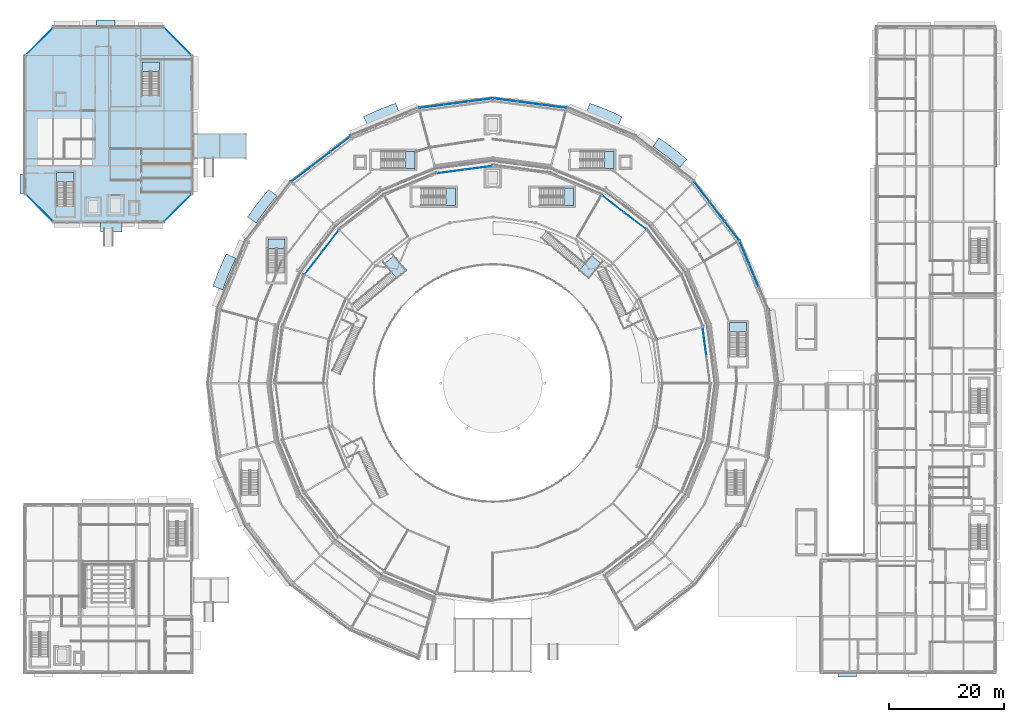
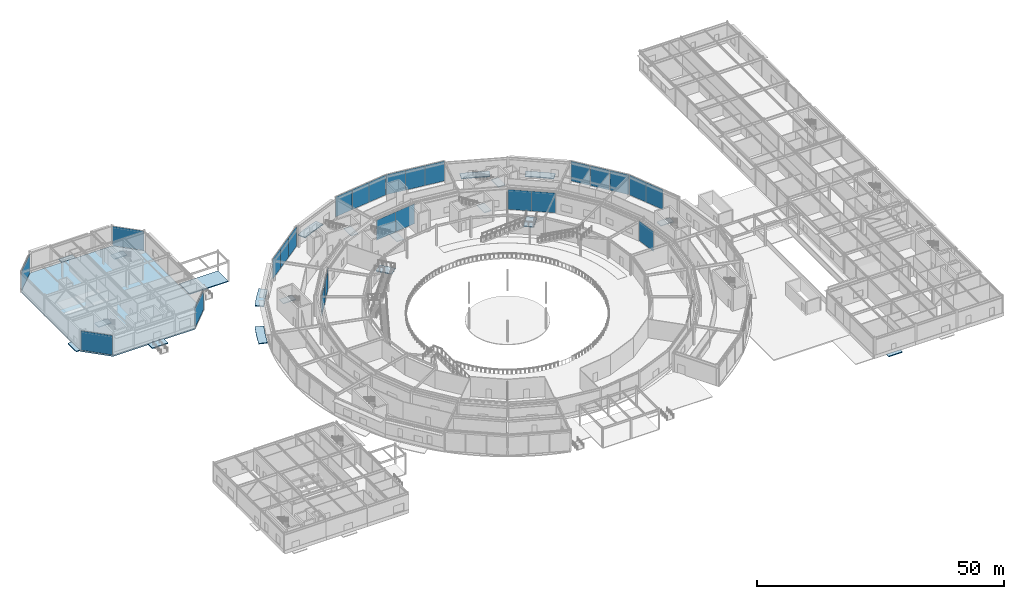
# One storey, part 113 of 168: 25 plates, 21 slabs, 23 elements without a shape of their own.
"""IFC4 building model written with IfcOpenShell, lengths in metres."""

from ifc_helpers import new_model, si_unit, direction, frame, origin, origin_2d, place, context, subcontext, project, spatial, polyline, rectangle, outline, extrude, material, layer, layer_set, type_object, element, aggregate, save


model = new_model("IFC4")

# Units and contexts
model_context = context("Model", 3, precision=1e-05, world=origin(), true_north=direction((0.0, 1.0)))
body_context = subcontext(model_context, "Body", "Model", "MODEL_VIEW")
ifc_project = project(units=[si_unit("LENGTHUNIT", "METRE"), si_unit("AREAUNIT", "SQUARE_METRE"), si_unit("VOLUMEUNIT", "CUBIC_METRE"), si_unit("PLANEANGLEUNIT", "RADIAN"), si_unit("MASSUNIT", "GRAM", prefix="KILO")], contexts=[model_context])

# Site, building, storey
site_placement = place(None, origin())
site = spatial("IfcSite", under=ifc_project, at=site_placement, CompositionType="ELEMENT")
building_placement = place(site_placement, origin())
building = spatial("IfcBuilding", under=site, at=building_placement, Name="Almandine Court Research Institute", CompositionType="ELEMENT")
storey_placement = place(building_placement, origin())
storey = spatial("IfcBuildingStorey", under=building, at=storey_placement, Name="L00", CompositionType="ELEMENT", Elevation=0.0)

# Curtain wall, plate
ifc_material_1 = material(Name="Unitised Curtain Wall Framing and Solar Glazing", Category="glass")
curtain_wall_type_1 = type_object("IfcCurtainWallType", Name="CW-CWG-04", PredefinedType="USERDEFINED", material=ifc_material_1)
curtain_wall_1_placement = place(storey_placement, origin())
curtain_wall_1 = element("IfcCurtainWall", 1, at=curtain_wall_1_placement, inside=storey, type_object=curtain_wall_type_1, Name="L00 Cleanroom NW Chamfer Glazing", ObjectType="UNITISED GLAZING", PredefinedType="USERDEFINED")
ifc_material_2 = material(Name="Double-Glazed Low-E Argon Insulated Glass", Category="glass")
ifc_layer_1 = layer(ifc_material_2, 0.028076171875)
ifc_layer_set_1 = layer_set([ifc_layer_1], Name="Double-Glazed Low-E Argon Insulated Glass")
plate_type_1 = type_object("IfcPlateType", Name="CWPnl-GLZ-28", PredefinedType="CURTAIN_PANEL", material=ifc_layer_set_1)
plate_1_placement = place(storey_placement, frame((8.39990234375, 115.199951171875, 0.06005859375), z_axis=(0.0, 0.0, 1.0), x_axis=(0.707106781187, 0.707106781187, 0.0)))
plate_1 = element("IfcPlate", 2, at=plate_1_placement, type_object=plate_type_1, Name="CWG-04 panel 1.1", PredefinedType="CURTAIN_PANEL", context=body_context, shape_type="SweptSolid", body=[
    extrude(rectangle(XDim=6.656982421875, YDim=0.028076171875, at=origin_2d()), origin(), (0.0, 0.0, 1.0), 4.81005859375),
])
aggregate(curtain_wall_1, [plate_1])

curtain_wall_2_placement = place(storey_placement, origin())
curtain_wall_2 = element("IfcCurtainWall", 3, at=curtain_wall_2_placement, inside=storey, type_object=curtain_wall_type_1, Name="L00 Cleanroom NE Chamfer Glazing", ObjectType="UNITISED GLAZING", PredefinedType="USERDEFINED")
plate_2_placement = place(storey_placement, frame((32.39990234375, 115.199951171875, 0.06005859375), z_axis=(0.0, 0.0, 1.0), x_axis=(0.707106781187, -0.707106781187, 0.0)))
plate_2 = element("IfcPlate", 4, at=plate_2_placement, type_object=plate_type_1, Name="CWG-04 panel 1.1", PredefinedType="CURTAIN_PANEL", context=body_context, shape_type="SweptSolid", body=[
    extrude(rectangle(XDim=6.656982421875, YDim=0.028076171875, at=origin_2d()), origin(), (0.0, 0.0, 1.0), 4.81005859375),
])
aggregate(curtain_wall_2, [plate_2])

curtain_wall_3_placement = place(storey_placement, origin())
curtain_wall_3 = element("IfcCurtainWall", 5, at=curtain_wall_3_placement, inside=storey, type_object=curtain_wall_type_1, Name="L00 Cleanroom SE Chamfer Glazing", ObjectType="UNITISED GLAZING", PredefinedType="USERDEFINED")
plate_3_placement = place(storey_placement, frame((32.39990234375, 86.39990234375, 0.06005859375), z_axis=(0.0, 0.0, 1.0), x_axis=(-0.707106781187, -0.707106781187, 0.0)))
plate_3 = element("IfcPlate", 6, at=plate_3_placement, type_object=plate_type_1, Name="CWG-04 panel 1.1", PredefinedType="CURTAIN_PANEL", context=body_context, shape_type="SweptSolid", body=[
    extrude(rectangle(XDim=6.656982421875, YDim=0.028076171875, at=origin_2d()), origin(), (0.0, 0.0, 1.0), 4.81005859375),
])
aggregate(curtain_wall_3, [plate_3])

curtain_wall_4_placement = place(storey_placement, origin())
curtain_wall_4 = element("IfcCurtainWall", 7, at=curtain_wall_4_placement, inside=storey, type_object=curtain_wall_type_1, Name="L00 Cleanroom SW Chamfer Glazing", ObjectType="UNITISED GLAZING", PredefinedType="USERDEFINED")
plate_4_placement = place(storey_placement, frame((8.39990234375, 86.39990234375, 0.06005859375), z_axis=(0.0, 0.0, 1.0), x_axis=(-0.707106781187, 0.707106781187, 0.0)))
plate_4 = element("IfcPlate", 8, at=plate_4_placement, type_object=plate_type_1, Name="CWG-04 panel 1.1", PredefinedType="CURTAIN_PANEL", context=body_context, shape_type="SweptSolid", body=[
    extrude(rectangle(XDim=6.656982421875, YDim=0.028076171875, at=origin_2d()), origin(), (0.0, 0.0, 1.0), 4.81005859375),
])
aggregate(curtain_wall_4, [plate_4])

# Curtain wall, plates
curtain_wall_type_2 = type_object("IfcCurtainWallType", Name="CW-CWG-18", PredefinedType="USERDEFINED", material=ifc_material_1)
curtain_wall_5_placement = place(storey_placement, origin())
curtain_wall_5 = element("IfcCurtainWall", 9, at=curtain_wall_5_placement, inside=storey, type_object=curtain_wall_type_2, Name="L00 Stacked-Ring Drum Outer Unitised Glazing 05", ObjectType="UNITISED GLAZING", PredefinedType="USERDEFINED")
plate_5_placement = place(storey_placement, frame((89.146728515625, 105.077880859375, 0.06005859375), z_axis=(0.0, 0.0, 1.0), x_axis=(0.991442926098, -0.130540891259, 0.0)))
plate_5 = element("IfcPlate", 10, at=plate_5_placement, type_object=plate_type_1, Name="CWG-18 panel 1.1", PredefinedType="CURTAIN_PANEL", context=body_context, shape_type="SweptSolid", body=[
    extrude(rectangle(XDim=4.202392578125, YDim=0.028076171875, at=origin_2d()), origin(), (0.0, 0.0, 1.0), 4.949951171875),
])
plate_6_placement = place(storey_placement, frame((93.387451171875, 104.51953125, 0.06005859375), z_axis=(0.0, 0.0, 1.0), x_axis=(0.991442926098, -0.130540891259, 0.0)))
plate_6 = element("IfcPlate", 11, at=plate_6_placement, type_object=plate_type_1, Name="CWG-18 panel 2.1", PredefinedType="CURTAIN_PANEL", context=body_context, shape_type="SweptSolid", body=[
    extrude(rectangle(XDim=4.232421875, YDim=0.028076171875, at=origin_2d()), origin(), (0.0, 0.0, 1.0), 4.949951171875),
])
plate_7_placement = place(storey_placement, frame((97.628173828125, 103.961181640625, 0.06005859375), z_axis=(0.0, 0.0, 1.0), x_axis=(0.991442926098, -0.130540891259, 0.0)))
plate_7 = element("IfcPlate", 12, at=plate_7_placement, type_object=plate_type_1, Name="CWG-18 panel 3.1", PredefinedType="CURTAIN_PANEL", context=body_context, shape_type="SweptSolid", body=[
    extrude(rectangle(XDim=4.202392578125, YDim=0.028076171875, at=origin_2d()), origin(), (0.0, 0.0, 1.0), 4.949951171875),
])
aggregate(curtain_wall_5, [plate_5, plate_6, plate_7])

curtain_wall_6_placement = place(storey_placement, origin())
curtain_wall_6 = element("IfcCurtainWall", 13, at=curtain_wall_6_placement, inside=storey, type_object=curtain_wall_type_2, Name="L00 Stacked-Ring Drum Outer Unitised Glazing 06", ObjectType="UNITISED GLAZING", PredefinedType="USERDEFINED")
plate_8_placement = place(storey_placement, frame((76.371826171875, 103.961181640625, 0.06005859375), z_axis=(0.0, 0.0, 1.0), x_axis=(0.991442926098, 0.130540891259, 0.0)))
plate_8 = element("IfcPlate", 14, at=plate_8_placement, type_object=plate_type_1, Name="CWG-18 panel 1.1", PredefinedType="CURTAIN_PANEL", context=body_context, shape_type="SweptSolid", body=[
    extrude(rectangle(XDim=4.202392578125, YDim=0.028076171875, at=origin_2d()), origin(), (0.0, 0.0, 1.0), 4.949951171875),
])
plate_9_placement = place(storey_placement, frame((80.612548828125, 104.51953125, 0.06005859375), z_axis=(0.0, 0.0, 1.0), x_axis=(0.991442926098, 0.130540891259, 0.0)))
plate_9 = element("IfcPlate", 15, at=plate_9_placement, type_object=plate_type_1, Name="CWG-18 panel 2.1", PredefinedType="CURTAIN_PANEL", context=body_context, shape_type="SweptSolid", body=[
    extrude(rectangle(XDim=4.232421875, YDim=0.028076171875, at=origin_2d()), origin(), (0.0, 0.0, 1.0), 4.949951171875),
])
plate_10_placement = place(storey_placement, frame((84.853271484375, 105.077880859375, 0.06005859375), z_axis=(0.0, 0.0, 1.0), x_axis=(0.991442926098, 0.130540891259, 0.0)))
plate_10 = element("IfcPlate", 16, at=plate_10_placement, type_object=plate_type_1, Name="CWG-18 panel 3.1", PredefinedType="CURTAIN_PANEL", context=body_context, shape_type="SweptSolid", body=[
    extrude(rectangle(XDim=4.202392578125, YDim=0.028076171875, at=origin_2d()), origin(), (0.0, 0.0, 1.0), 4.949951171875),
])
aggregate(curtain_wall_6, [plate_8, plate_9, plate_10])

# Curtain wall, plate
curtain_wall_type_3 = type_object("IfcCurtainWallType", Name="CW-CWG-23", PredefinedType="USERDEFINED", material=ifc_material_1)
curtain_wall_7_placement = place(storey_placement, origin())
curtain_wall_7 = element("IfcCurtainWall", 17, at=curtain_wall_7_placement, inside=storey, type_object=curtain_wall_type_3, Name="L00 Interaction Atrium Perimeter Curtain Wall 00", ObjectType="UNITISED GLAZING", PredefinedType="USERDEFINED")
plate_11_placement = place(storey_placement, frame((123.6904296875, 63.2919921875, 0.06005859375), z_axis=(0.0, 0.0, 1.0), x_axis=(0.130536164028, -0.991443548509, 0.0)))
plate_11 = element("IfcPlate", 18, at=plate_11_placement, type_object=plate_type_1, Name="CWG-23 panel 1.1", PredefinedType="CURTAIN_PANEL", context=body_context, shape_type="SweptSolid", body=[
    extrude(rectangle(XDim=4.820556640625, YDim=0.028076171875, at=origin_2d()), origin(), (0.0, 0.0, 1.0), 4.949951171875),
])
aggregate(curtain_wall_7, [plate_11])

# Curtain wall, plates
curtain_wall_8_placement = place(storey_placement, origin())
curtain_wall_8 = element("IfcCurtainWall", 19, at=curtain_wall_8_placement, inside=storey, type_object=curtain_wall_type_3, Name="L00 Interaction Atrium Perimeter Curtain Wall 03", ObjectType="UNITISED GLAZING", PredefinedType="USERDEFINED")
plate_12_placement = place(storey_placement, frame((107.787841796875, 87.10009765625, 0.06005859375), z_axis=(0.0, 0.0, 1.0), x_axis=(0.793353924979, -0.608760667029, 0.0)))
plate_12 = element("IfcPlate", 20, at=plate_12_placement, type_object=plate_type_1, Name="CWG-23 panel 1.1", PredefinedType="CURTAIN_PANEL", context=body_context, shape_type="SweptSolid", body=[
    extrude(rectangle(XDim=4.82080078125, YDim=0.028076171875, at=origin_2d()), origin(), (0.0, 0.0, 1.0), 4.949951171875),
])
plate_13_placement = place(storey_placement, frame((111.66015625, 84.12890625, 0.06005859375), z_axis=(0.0, 0.0, 1.0), x_axis=(0.793353924979, -0.608760667029, 0.0)))
plate_13 = element("IfcPlate", 21, at=plate_13_placement, type_object=plate_type_1, Name="CWG-23 panel 2.1", PredefinedType="CURTAIN_PANEL", context=body_context, shape_type="SweptSolid", body=[
    extrude(rectangle(XDim=4.82080078125, YDim=0.028076171875, at=origin_2d()), origin(), (0.0, 0.0, 1.0), 4.949951171875),
])
aggregate(curtain_wall_8, [plate_12, plate_13])

curtain_wall_9_placement = place(storey_placement, origin())
curtain_wall_9 = element("IfcCurtainWall", 22, at=curtain_wall_9_placement, inside=storey, type_object=curtain_wall_type_3, Name="L00 Interaction Atrium Perimeter Curtain Wall 06", ObjectType="UNITISED GLAZING", PredefinedType="USERDEFINED")
plate_14_placement = place(storey_placement, frame((79.7080078125, 92.6904296875, 0.06005859375), z_axis=(0.0, 0.0, 1.0), x_axis=(0.991443548509, 0.130536164028, 0.0)))
plate_14 = element("IfcPlate", 23, at=plate_14_placement, type_object=plate_type_1, Name="CWG-23 panel 1.1", PredefinedType="CURTAIN_PANEL", context=body_context, shape_type="SweptSolid", body=[
    extrude(rectangle(XDim=4.820556640625, YDim=0.028076171875, at=origin_2d()), origin(), (0.0, 0.0, 1.0), 4.949951171875),
])
plate_15_placement = place(storey_placement, frame((84.546875, 93.32763671875, 0.06005859375), z_axis=(0.0, 0.0, 1.0), x_axis=(0.991443548509, 0.130536164028, 0.0)))
plate_15 = element("IfcPlate", 24, at=plate_15_placement, type_object=plate_type_1, Name="CWG-23 panel 2.1", PredefinedType="CURTAIN_PANEL", context=body_context, shape_type="SweptSolid", body=[
    extrude(rectangle(XDim=4.820556640625, YDim=0.028076171875, at=origin_2d()), origin(), (0.0, 0.0, 1.0), 4.949951171875),
])
aggregate(curtain_wall_9, [plate_14, plate_15])

curtain_wall_10_placement = place(storey_placement, origin())
curtain_wall_10 = element("IfcCurtainWall", 25, at=curtain_wall_10_placement, inside=storey, type_object=curtain_wall_type_3, Name="L00 Interaction Atrium Perimeter Curtain Wall 09", ObjectType="UNITISED GLAZING", PredefinedType="USERDEFINED")
plate_16_placement = place(storey_placement, frame((55.89990234375, 76.787841796875, 0.06005859375), z_axis=(0.0, 0.0, 1.0), x_axis=(0.608760667029, 0.793353924979, 0.0)))
plate_16 = element("IfcPlate", 26, at=plate_16_placement, type_object=plate_type_1, Name="CWG-23 panel 1.1", PredefinedType="CURTAIN_PANEL", context=body_context, shape_type="SweptSolid", body=[
    extrude(rectangle(XDim=4.82080078125, YDim=0.028076171875, at=origin_2d()), origin(), (0.0, 0.0, 1.0), 4.949951171875),
])
plate_17_placement = place(storey_placement, frame((58.87109375, 80.66015625, 0.06005859375), z_axis=(0.0, 0.0, 1.0), x_axis=(0.608760667029, 0.793353924979, 0.0)))
plate_17 = element("IfcPlate", 27, at=plate_17_placement, type_object=plate_type_1, Name="CWG-23 panel 2.1", PredefinedType="CURTAIN_PANEL", context=body_context, shape_type="SweptSolid", body=[
    extrude(rectangle(XDim=4.82080078125, YDim=0.028076171875, at=origin_2d()), origin(), (0.0, 0.0, 1.0), 4.949951171875),
])
aggregate(curtain_wall_10, [plate_16, plate_17])

curtain_wall_type_4 = type_object("IfcCurtainWallType", Name="CW-CWJ-17", PredefinedType="USERDEFINED", material=ifc_material_1)
curtain_wall_11_placement = place(storey_placement, origin())
curtain_wall_11 = element("IfcCurtainWall", 28, at=curtain_wall_11_placement, inside=storey, type_object=curtain_wall_type_4, Name="L00 Stacked-Ring Drum Outer Solar Jali Screen 01", ObjectType="SOLAR JALI SCREEN", PredefinedType="USERDEFINED")
ifc_material_3 = material(Name="Perforated Ochre Terracotta Jali Solar Cassette", Category="masonry")
ifc_layer_2 = layer(ifc_material_3, 0.035888671875)
ifc_layer_set_2 = layer_set([ifc_layer_2], Name="Perforated Ochre Terracotta Jali Solar Cassette")
plate_type_2 = type_object("IfcPlateType", Name="CWPnl-JALI-36", PredefinedType="CURTAIN_PANEL", material=ifc_layer_set_2)
plate_18_placement = place(storey_placement, frame((130.57666015625, 78.678955078125, 0.06494140625), z_axis=(0.0, 0.0, 1.0), x_axis=(0.382662689242, -0.923888124321, 0.0)))
plate_18 = element("IfcPlate", 29, at=plate_18_placement, type_object=plate_type_2, Name="CWJ-17 panel 1.1", PredefinedType="CURTAIN_PANEL", context=body_context, shape_type="SweptSolid", body=[
    extrude(rectangle(XDim=4.1953125, YDim=0.035888671875, at=origin_2d()), origin(), (0.0, 0.0, 1.0), 4.93994140625),
])
plate_19_placement = place(storey_placement, frame((132.212890625, 74.72802734375, 0.06494140625), z_axis=(0.0, 0.0, 1.0), x_axis=(0.382662689242, -0.923888124321, 0.0)))
plate_19 = element("IfcPlate", 30, at=plate_19_placement, type_object=plate_type_2, Name="CWJ-17 panel 2.1", PredefinedType="CURTAIN_PANEL", context=body_context, shape_type="SweptSolid", body=[
    extrude(rectangle(XDim=4.227783203125, YDim=0.035888671875, at=origin_2d()), origin(), (0.0, 0.0, 1.0), 4.93994140625),
])
aggregate(curtain_wall_11, [plate_18, plate_19])

curtain_wall_12_placement = place(storey_placement, origin())
curtain_wall_12 = element("IfcCurtainWall", 31, at=curtain_wall_12_placement, inside=storey, type_object=curtain_wall_type_4, Name="L00 Stacked-Ring Drum Outer Solar Jali Screen 02", ObjectType="SOLAR JALI SCREEN", PredefinedType="USERDEFINED")
plate_20_placement = place(storey_placement, frame((123.222412109375, 89.184326171875, 0.06494140625), z_axis=(0.0, 0.0, 1.0), x_axis=(0.608723313303, -0.793382586046, 0.0)))
plate_20 = element("IfcPlate", 32, at=plate_20_placement, type_object=plate_type_2, Name="CWJ-17 panel 1.1", PredefinedType="CURTAIN_PANEL", context=body_context, shape_type="SweptSolid", body=[
    extrude(rectangle(XDim=4.195068359375, YDim=0.035888671875, at=origin_2d()), origin(), (0.0, 0.0, 1.0), 4.93994140625),
])
plate_21_placement = place(storey_placement, frame((125.825439453125, 85.79150390625, 0.06494140625), z_axis=(0.0, 0.0, 1.0), x_axis=(0.608723313303, -0.793382586046, 0.0)))
plate_21 = element("IfcPlate", 33, at=plate_21_placement, type_object=plate_type_2, Name="CWJ-17 panel 2.1", PredefinedType="CURTAIN_PANEL", context=body_context, shape_type="SweptSolid", body=[
    extrude(rectangle(XDim=4.2275390625, YDim=0.035888671875, at=origin_2d()), origin(), (0.0, 0.0, 1.0), 4.93994140625),
])
plate_22_placement = place(storey_placement, frame((128.4287109375, 82.398681640625, 0.06494140625), z_axis=(0.0, 0.0, 1.0), x_axis=(0.608723313303, -0.793382586046, 0.0)))
plate_22 = element("IfcPlate", 34, at=plate_22_placement, type_object=plate_type_2, Name="CWJ-17 panel 3.1", PredefinedType="CURTAIN_PANEL", context=body_context, shape_type="SweptSolid", body=[
    extrude(rectangle(XDim=4.195068359375, YDim=0.035888671875, at=origin_2d()), origin(), (0.0, 0.0, 1.0), 4.93994140625),
])
aggregate(curtain_wall_12, [plate_20, plate_21, plate_22])

curtain_wall_13_placement = place(storey_placement, origin())
curtain_wall_13 = element("IfcCurtainWall", 35, at=curtain_wall_13_placement, inside=storey, type_object=curtain_wall_type_4, Name="L00 Stacked-Ring Drum Outer Solar Jali Screen 08", ObjectType="SOLAR JALI SCREEN", PredefinedType="USERDEFINED")
plate_23_placement = place(storey_placement, frame((53.815673828125, 92.222412109375, 0.06494140625), z_axis=(0.0, 0.0, 1.0), x_axis=(0.793382586046, 0.608723313303, 0.0)))
plate_23 = element("IfcPlate", 36, at=plate_23_placement, type_object=plate_type_2, Name="CWJ-17 panel 1.1", PredefinedType="CURTAIN_PANEL", context=body_context, shape_type="SweptSolid", body=[
    extrude(rectangle(XDim=4.195068359375, YDim=0.035888671875, at=origin_2d()), origin(), (0.0, 0.0, 1.0), 4.93994140625),
])
plate_24_placement = place(storey_placement, frame((57.20849609375, 94.825439453125, 0.06494140625), z_axis=(0.0, 0.0, 1.0), x_axis=(0.793382586046, 0.608723313303, 0.0)))
plate_24 = element("IfcPlate", 37, at=plate_24_placement, type_object=plate_type_2, Name="CWJ-17 panel 2.1", PredefinedType="CURTAIN_PANEL", context=body_context, shape_type="SweptSolid", body=[
    extrude(rectangle(XDim=4.2275390625, YDim=0.035888671875, at=origin_2d()), origin(), (0.0, 0.0, 1.0), 4.93994140625),
])
plate_25_placement = place(storey_placement, frame((60.601318359375, 97.4287109375, 0.06494140625), z_axis=(0.0, 0.0, 1.0), x_axis=(0.793382586046, 0.608723313303, 0.0)))
plate_25 = element("IfcPlate", 38, at=plate_25_placement, type_object=plate_type_2, Name="CWJ-17 panel 3.1", PredefinedType="CURTAIN_PANEL", context=body_context, shape_type="SweptSolid", body=[
    extrude(rectangle(XDim=4.195068359375, YDim=0.035888671875, at=origin_2d()), origin(), (0.0, 0.0, 1.0), 4.93994140625),
])
aggregate(curtain_wall_13, [plate_23, plate_24, plate_25])

# Slabs
ifc_material_4 = material(Name="Concrete C35/45", Category="concrete")
ifc_layer_3 = layer(ifc_material_4, 0.199951171875)
ifc_layer_set_3 = layer_set([ifc_layer_3], Name="Concrete C35/45")
slab_type_1 = type_object("IfcSlabType", Name="Slab-BS-EXT-200", PredefinedType="BASESLAB", material=ifc_layer_set_3)
slab_1_placement = place(storey_placement, frame((0.0, 0.0, -0.199951171875)))
element("IfcSlab", 39, at=slab_1_placement, inside=storey, type_object=slab_type_1, Name="L00 Northwest Covered Dalan Passage Walkway Slab", PredefinedType="BASESLAB", context=body_context, shape_type="SweptSolid", body=[
    extrude(outline(polyline([(35.10009765625, 95.0), (44.199951171875, 95.0), (44.199951171875, 99.199951171875), (35.10009765625, 99.199951171875), (35.10009765625, 95.0)])), origin(), (0.0, 0.0, 1.0), 0.199951171875),
])
slab_2_placement = place(storey_placement, frame((0.0, 0.0, -0.199951171875)))
element("IfcSlab", 40, at=slab_2_placement, inside=storey, type_object=slab_type_1, Name="L00 Boulevard and Courtyard Paved Exit Apron PAD-V3-W1", PredefinedType="BASESLAB", context=body_context, shape_type="SweptSolid", body=[
    extrude(outline(polyline([(5.972900390625, 92.300048828125), (5.985107421875, 92.2880859375), (5.98388671875, 88.908935546875), (5.972900390625, 88.89990234375), (5.05908203125, 88.90087890625), (5.050048828125, 88.912109375), (5.051025390625, 92.291015625), (5.06201171875, 92.300048828125), (5.972900390625, 92.300048828125)])), origin(), (0.0, 0.0, 1.0), 0.199951171875),
])
slab_3_placement = place(storey_placement, frame((0.0, 0.0, -0.199951171875)))
element("IfcSlab", 41, at=slab_3_placement, inside=storey, type_object=slab_type_1, Name="L00 Boulevard and Courtyard Paved Exit Apron PAD-V3-S2", PredefinedType="BASESLAB", context=body_context, shape_type="SweptSolid", body=[
    extrude(outline(polyline([(22.68798828125, 83.985107421875), (22.699951171875, 83.972900390625), (22.699951171875, 82.2119140625), (22.694091796875, 82.200927734375), (19.011962890625, 82.199951171875), (19.0009765625, 82.2060546875), (19.0, 83.972900390625), (19.006103515625, 83.98388671875), (22.68798828125, 83.985107421875)])), origin(), (0.0, 0.0, 1.0), 0.199951171875),
])
slab_4_placement = place(storey_placement, frame((0.0, 0.0, -0.199951171875)))
element("IfcSlab", 42, at=slab_4_placement, inside=storey, type_object=slab_type_1, Name="L00 Boulevard and Courtyard Paved Exit Apron PAD-V3-N2", PredefinedType="BASESLAB", context=body_context, shape_type="SweptSolid", body=[
    extrude(outline(polyline([(21.488037109375, 118.949951171875), (21.5, 118.93798828125), (21.5, 117.626953125), (21.492919921875, 117.615966796875), (18.31201171875, 117.614990234375), (18.301025390625, 117.6220703125), (18.300048828125, 118.93798828125), (18.306884765625, 118.948974609375), (21.488037109375, 118.949951171875)])), origin(), (0.0, 0.0, 1.0), 0.199951171875),
])
slab_5_placement = place(storey_placement, frame((0.0, 0.0, -0.199951171875)))
element("IfcSlab", 43, at=slab_5_placement, inside=storey, type_object=slab_type_1, Name="L00 Boulevard and Courtyard Paved Exit Apron PAD-V4-FCC", PredefinedType="BASESLAB", context=body_context, shape_type="SweptSolid", body=[
    extrude(outline(polyline([(149.988037109375, 5.985107421875), (150.0, 5.972900390625), (150.0, 5.06201171875), (149.990966796875, 5.051025390625), (146.81201171875, 5.050048828125), (146.801025390625, 5.05908203125), (146.800048828125, 5.972900390625), (146.80908203125, 5.98388671875), (149.988037109375, 5.985107421875)])), origin(), (0.0, 0.0, 1.0), 0.199951171875),
])
slab_6_placement = place(storey_placement, frame((0.0, 0.0, -0.199951171875)))
element("IfcSlab", 44, at=slab_6_placement, inside=storey, type_object=slab_type_1, Name="L00 Boulevard and Courtyard Paved Exit Apron PAD-DRUM-S03", PredefinedType="BASESLAB", context=body_context, shape_type="SweptSolid", body=[
    extrude(outline(polyline([(116.6240234375, 97.943115234375), (117.447998046875, 97.34912109375), (118.260009765625, 96.739013671875), (119.06005859375, 96.112060546875), (119.846923828125, 95.469970703125), (120.614013671875, 94.818115234375), (120.613037109375, 94.803955078125), (119.41796875, 93.425048828125), (119.403076171875, 93.426025390625), (118.826904296875, 93.930908203125), (117.14306640625, 95.282958984375), (115.40087890625, 96.56005859375), (114.760009765625, 96.989990234375), (114.760986328125, 97.001953125), (115.787109375, 98.514892578125), (115.799072265625, 98.513916015625), (116.6240234375, 97.943115234375)])), origin(), (0.0, 0.0, 1.0), 0.199951171875),
])
slab_7_placement = place(storey_placement, frame((0.0, 0.0, -0.199951171875)))
element("IfcSlab", 45, at=slab_7_placement, inside=storey, type_object=slab_type_1, Name="L00 Boulevard and Courtyard Paved Exit Apron PAD-DRUM-S04", PredefinedType="BASESLAB", context=body_context, shape_type="SweptSolid", body=[
    extrude(outline(polyline([(104.759033203125, 104.180908203125), (105.708984375, 103.821044921875), (106.65087890625, 103.44091796875), (107.5849609375, 103.04296875), (108.511962890625, 102.626953125), (109.422119140625, 102.195068359375), (109.425048828125, 102.180908203125), (108.626953125, 100.5400390625), (108.613037109375, 100.537109375), (107.926025390625, 100.8759765625), (105.947998046875, 101.74609375), (103.93505859375, 102.529052734375), (103.205078125, 102.778076171875), (103.202880859375, 102.7900390625), (103.802001953125, 104.51611328125), (103.81396484375, 104.51904296875), (104.759033203125, 104.180908203125)])), origin(), (0.0, 0.0, 1.0), 0.199951171875),
])
slab_8_placement = place(storey_placement, frame((0.0, 0.0, -0.199951171875)))
element("IfcSlab", 46, at=slab_8_placement, inside=storey, type_object=slab_type_1, Name="L00 Boulevard and Courtyard Paved Exit Apron PAD-DRUM-S07", PredefinedType="BASESLAB", context=body_context, shape_type="SweptSolid", body=[
    extrude(outline(polyline([(65.488037109375, 102.626953125), (66.4150390625, 103.04296875), (67.34912109375, 103.44091796875), (68.291015625, 103.821044921875), (69.240966796875, 104.180908203125), (70.18896484375, 104.52001953125), (70.200927734375, 104.511962890625), (70.798095703125, 102.787109375), (70.7900390625, 102.77490234375), (70.06494140625, 102.529052734375), (68.051025390625, 101.74609375), (66.073974609375, 100.8759765625), (65.382080078125, 100.535888671875), (65.37109375, 100.54296875), (64.573974609375, 102.18701171875), (64.5810546875, 102.197021484375), (65.488037109375, 102.626953125)])), origin(), (0.0, 0.0, 1.0), 0.199951171875),
])
slab_9_placement = place(storey_placement, frame((0.0, 0.0, -0.199951171875)))
element("IfcSlab", 47, at=slab_9_placement, inside=storey, type_object=slab_type_1, Name="L00 Boulevard and Courtyard Paved Exit Apron PAD-DRUM-S09", PredefinedType="BASESLAB", context=body_context, shape_type="SweptSolid", body=[
    extrude(outline(polyline([(45.056884765625, 85.6240234375), (45.65087890625, 86.447998046875), (46.260986328125, 87.260009765625), (46.887939453125, 88.06005859375), (47.530029296875, 88.846923828125), (48.181884765625, 89.614013671875), (48.196044921875, 89.613037109375), (49.574951171875, 88.41796875), (49.573974609375, 88.403076171875), (49.069091796875, 87.826904296875), (47.717041015625, 86.14306640625), (46.43994140625, 84.40087890625), (46.010009765625, 83.760009765625), (45.998046875, 83.760986328125), (44.485107421875, 84.787109375), (44.486083984375, 84.799072265625), (45.056884765625, 85.6240234375)])), origin(), (0.0, 0.0, 1.0), 0.199951171875),
])
slab_10_placement = place(storey_placement, frame((0.0, 0.0, -0.199951171875)))
element("IfcSlab", 48, at=slab_10_placement, inside=storey, type_object=slab_type_1, Name="L00 Boulevard and Courtyard Paved Exit Apron PAD-DRUM-S10", PredefinedType="BASESLAB", context=body_context, shape_type="SweptSolid", body=[
    extrude(outline(polyline([(38.819091796875, 73.759033203125), (39.178955078125, 74.708984375), (39.55908203125, 75.65087890625), (39.95703125, 76.5849609375), (40.373046875, 77.511962890625), (40.804931640625, 78.422119140625), (40.819091796875, 78.425048828125), (42.4599609375, 77.626953125), (42.462890625, 77.613037109375), (42.1240234375, 76.926025390625), (41.25390625, 74.947998046875), (40.470947265625, 72.93505859375), (40.221923828125, 72.205078125), (40.2099609375, 72.202880859375), (38.48388671875, 72.802001953125), (38.48095703125, 72.81396484375), (38.819091796875, 73.759033203125)])), origin(), (0.0, 0.0, 1.0), 0.199951171875),
])

# Stair, slab
stair_type_1 = type_object("IfcStairType", Name="Stair-Core-30R", PredefinedType="HALF_TURN_STAIR", material=ifc_material_4)
stair_1_placement = place(storey_placement, origin())
stair_1 = element("IfcStair", 49, at=stair_1_placement, inside=storey, type_object=stair_type_1, Name="L00 Atrium Northeast Exit Stair", PredefinedType="HALF_TURN_STAIR")
ifc_layer_4 = layer(ifc_material_4, 0.179931640625)
ifc_layer_set_4 = layer_set([ifc_layer_4], Name="Concrete C35/45")
slab_type_2 = type_object("IfcSlabType", Name="Slab-Landing-180", PredefinedType="LANDING", material=ifc_layer_set_4)
slab_11_placement = place(storey_placement, frame((0.0, 0.0, 2.445068359375)))
slab_11 = element("IfcSlab", 50, at=slab_11_placement, type_object=slab_type_2, Name="ST-03 landing 1", PredefinedType="LANDING", context=body_context, shape_type="SweptSolid", body=[
    extrude(outline(polyline([(99.35009765625, 86.800048828125), (101.0, 86.800048828125), (101.0, 89.800048828125), (99.35009765625, 89.800048828125), (99.35009765625, 86.800048828125)])), origin(), (0.0, 0.0, 1.0), 0.179931640625),
])
aggregate(stair_1, [slab_11])

stair_2_placement = place(storey_placement, origin())
stair_2 = element("IfcStair", 51, at=stair_2_placement, inside=storey, type_object=stair_type_1, Name="L00 Atrium Northwest Exit Stair", PredefinedType="HALF_TURN_STAIR")
slab_12_placement = place(storey_placement, frame((0.0, 0.0, 2.445068359375)))
slab_12 = element("IfcSlab", 52, at=slab_12_placement, type_object=slab_type_2, Name="ST-04 landing 1", PredefinedType="LANDING", context=body_context, shape_type="SweptSolid", body=[
    extrude(outline(polyline([(78.85009765625, 86.800048828125), (80.5, 86.800048828125), (80.5, 89.800048828125), (78.85009765625, 89.800048828125), (78.85009765625, 86.800048828125)])), origin(), (0.0, 0.0, 1.0), 0.179931640625),
])
aggregate(stair_2, [slab_12])

stair_3_placement = place(storey_placement, origin())
stair_3 = element("IfcStair", 53, at=stair_3_placement, inside=storey, type_object=stair_type_1, Name="L00 Cleanroom Pavilion South Exit Stair", PredefinedType="HALF_TURN_STAIR")
slab_13_placement = place(storey_placement, frame((0.0, 0.0, 2.445068359375)))
slab_13 = element("IfcSlab", 54, at=slab_13_placement, type_object=slab_type_2, Name="ST-05 landing 1", PredefinedType="LANDING", context=body_context, shape_type="SweptSolid", body=[
    extrude(outline(polyline([(14.39990234375, 90.85009765625), (14.39990234375, 92.5), (11.39990234375, 92.5), (11.39990234375, 90.85009765625), (14.39990234375, 90.85009765625)])), origin(), (0.0, 0.0, 1.0), 0.179931640625),
])
aggregate(stair_3, [slab_13])

stair_4_placement = place(storey_placement, origin())
stair_4 = element("IfcStair", 55, at=stair_4_placement, inside=storey, type_object=stair_type_1, Name="L00 Cleanroom Pavilion North Exit Stair", PredefinedType="HALF_TURN_STAIR")
slab_14_placement = place(storey_placement, frame((0.0, 0.0, 2.445068359375)))
slab_14 = element("IfcSlab", 56, at=slab_14_placement, type_object=slab_type_2, Name="ST-06 landing 1", PredefinedType="LANDING", context=body_context, shape_type="SweptSolid", body=[
    extrude(outline(polyline([(29.199951171875, 110.050048828125), (29.199951171875, 111.699951171875), (26.199951171875, 111.699951171875), (26.199951171875, 110.050048828125), (29.199951171875, 110.050048828125)])), origin(), (0.0, 0.0, 1.0), 0.179931640625),
])
aggregate(stair_4, [slab_14])

stair_5_placement = place(storey_placement, origin())
stair_5 = element("IfcStair", 57, at=stair_5_placement, inside=storey, type_object=stair_type_1, Name="L00 Drum Northeast Exit Stair", PredefinedType="HALF_TURN_STAIR")
slab_15_placement = place(storey_placement, frame((0.0, 0.0, 2.445068359375)))
slab_15 = element("IfcSlab", 58, at=slab_15_placement, type_object=slab_type_2, Name="ST-09 landing 1", PredefinedType="LANDING", context=body_context, shape_type="SweptSolid", body=[
    extrude(outline(polyline([(106.35009765625, 93.199951171875), (108.0, 93.199951171875), (108.0, 96.199951171875), (106.35009765625, 96.199951171875), (106.35009765625, 93.199951171875)])), origin(), (0.0, 0.0, 1.0), 0.179931640625),
])
aggregate(stair_5, [slab_15])

stair_6_placement = place(storey_placement, origin())
stair_6 = element("IfcStair", 59, at=stair_6_placement, inside=storey, type_object=stair_type_1, Name="L00 Drum Northwest Exit Stair", PredefinedType="HALF_TURN_STAIR")
slab_16_placement = place(storey_placement, frame((0.0, 0.0, 2.445068359375)))
slab_16 = element("IfcSlab", 60, at=slab_16_placement, type_object=slab_type_2, Name="ST-10 landing 1", PredefinedType="LANDING", context=body_context, shape_type="SweptSolid", body=[
    extrude(outline(polyline([(71.85009765625, 93.199951171875), (73.5, 93.199951171875), (73.5, 96.199951171875), (71.85009765625, 96.199951171875), (71.85009765625, 93.199951171875)])), origin(), (0.0, 0.0, 1.0), 0.179931640625),
])
aggregate(stair_6, [slab_16])

stair_7_placement = place(storey_placement, origin())
stair_7 = element("IfcStair", 61, at=stair_7_placement, inside=storey, type_object=stair_type_1, Name="L00 Drum East Exit Stair", PredefinedType="HALF_TURN_STAIR")
slab_17_placement = place(storey_placement, frame((0.0, 0.0, 2.445068359375)))
slab_17 = element("IfcSlab", 62, at=slab_17_placement, type_object=slab_type_2, Name="ST-14 landing 1", PredefinedType="LANDING", context=body_context, shape_type="SweptSolid", body=[
    extrude(outline(polyline([(131.0, 64.85009765625), (131.0, 66.5), (128.0, 66.5), (128.0, 64.85009765625), (131.0, 64.85009765625)])), origin(), (0.0, 0.0, 1.0), 0.179931640625),
])
aggregate(stair_7, [slab_17])

stair_8_placement = place(storey_placement, origin())
stair_8 = element("IfcStair", 63, at=stair_8_placement, inside=storey, type_object=stair_type_1, Name="L00 Drum West Exit Stair", PredefinedType="HALF_TURN_STAIR")
slab_18_placement = place(storey_placement, frame((0.0, 0.0, 2.445068359375)))
slab_18 = element("IfcSlab", 64, at=slab_18_placement, type_object=slab_type_2, Name="ST-15 landing 1", PredefinedType="LANDING", context=body_context, shape_type="SweptSolid", body=[
    extrude(outline(polyline([(51.0, 79.35009765625), (51.0, 81.0), (48.0, 81.0), (48.0, 79.35009765625), (51.0, 79.35009765625)])), origin(), (0.0, 0.0, 1.0), 0.179931640625),
])
aggregate(stair_8, [slab_18])

ifc_material_5 = material(Name="Steel ASTM A500 Grade C", Category="steel")
stair_type_2 = type_object("IfcStairType", Name="Stair-Feat-30R", PredefinedType="STRAIGHT_RUN_STAIR", material=ifc_material_5)
stair_9_placement = place(storey_placement, origin())
stair_9 = element("IfcStair", 65, at=stair_9_placement, inside=storey, type_object=stair_type_2, Name="L00 Interaction Atrium Feature Stair ST-AT-02", PredefinedType="STRAIGHT_RUN_STAIR")
slab_19_placement = place(storey_placement, frame((0.0, 0.0, 5.070068359375)))
slab_19 = element("IfcSlab", 66, at=slab_19_placement, type_object=slab_type_2, Name="ST-AT-02 landing 1", PredefinedType="LANDING", context=body_context, shape_type="SweptSolid", body=[
    extrude(outline(polyline([(101.93798828125, 75.512939453125), (104.123046875, 78.117919921875), (105.80908203125, 76.7041015625), (103.623046875, 74.09912109375), (101.93798828125, 75.512939453125)])), origin(), (0.0, 0.0, 1.0), 0.179931640625),
])
aggregate(stair_9, [slab_19])

stair_10_placement = place(storey_placement, origin())
stair_10 = element("IfcStair", 67, at=stair_10_placement, inside=storey, type_object=stair_type_2, Name="L00 Interaction Atrium Feature Stair ST-AT-03", PredefinedType="STRAIGHT_RUN_STAIR")
slab_20_placement = place(storey_placement, frame((0.0, 0.0, 5.070068359375)))
slab_20 = element("IfcSlab", 68, at=slab_20_placement, type_object=slab_type_2, Name="ST-AT-03 landing 1", PredefinedType="LANDING", context=body_context, shape_type="SweptSolid", body=[
    extrude(outline(polyline([(70.376953125, 74.09912109375), (68.19091796875, 76.7041015625), (69.876953125, 78.117919921875), (72.06201171875, 75.512939453125), (70.376953125, 74.09912109375)])), origin(), (0.0, 0.0, 1.0), 0.179931640625),
])
aggregate(stair_10, [slab_20])

# Slab
ifc_layer_5 = layer(ifc_material_4, 0.320068359375)
ifc_layer_set_5 = layer_set([ifc_layer_5], Name="Concrete C35/45")
slab_type_3 = type_object("IfcSlabType", Name="Slab-VCE-320", PredefinedType="FLOOR", material=ifc_layer_set_5)
slab_21_placement = place(storey_placement, frame((0.0, 0.0, -0.320068359375)))
element("IfcSlab", 69, at=slab_21_placement, inside=storey, type_object=slab_type_3, Name="L00 Volume 3 Cleanroom Pavilion Floor Slab ", PredefinedType="FLOOR", context=body_context, shape_type="SweptSolid", body=[
    extrude(outline(polyline([(10.800048828125, 84.0), (30.0, 84.0), (34.800048828125, 88.800048828125), (34.800048828125, 112.800048828125), (30.0, 117.60009765625), (10.800048828125, 117.60009765625), (6.0, 112.800048828125), (6.0, 88.800048828125), (10.800048828125, 84.0)])), origin(), (0.0, 0.0, 1.0), 0.320068359375),
])

save(model, "model.ifc")
